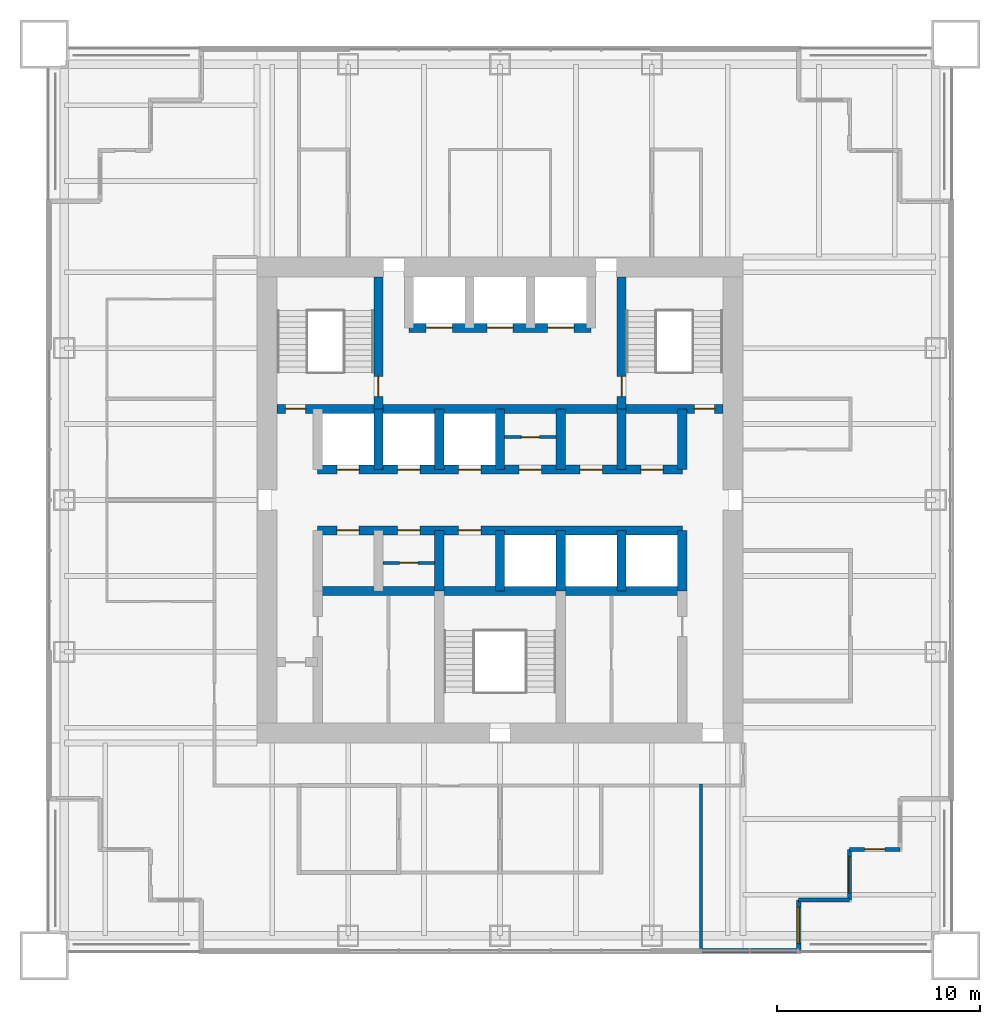
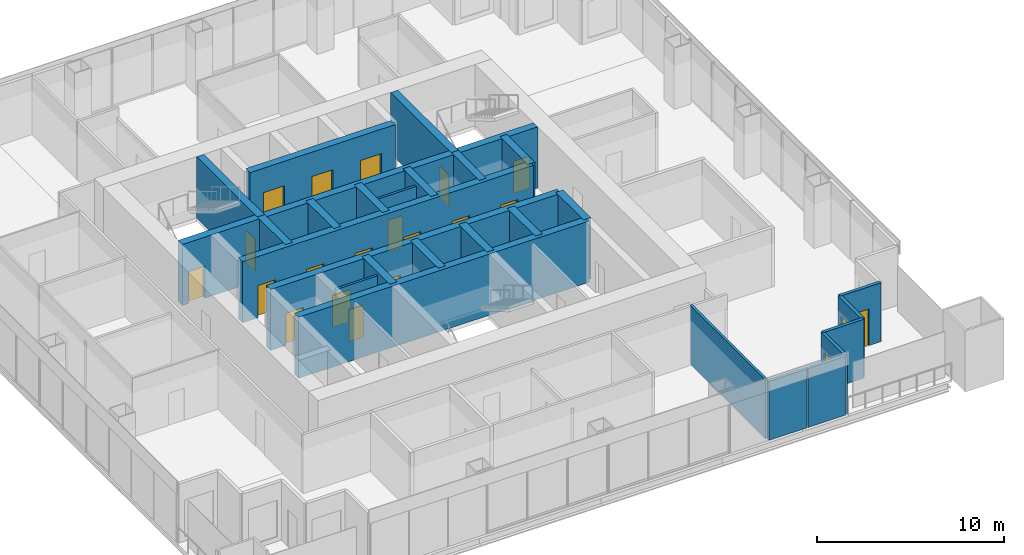
# One storey, part 9 of 13: 27 walls, 19 doors, 2 windows, 21 openings.
"""IFC4 building model written with IfcOpenShell, lengths in metres."""

from ifc_helpers import new_model, si_unit, direction, frame, frame_2d, origin, place, context, subcontext, project, spatial, rectangle, extrude, material, layer, layer_set, type_object, element, fill, save


model = new_model("IFC4")

# Units and contexts
model_context = context("Model", 3, precision=1e-05, world=origin(), true_north=direction((0.0, 1.0)))
body_context = subcontext(model_context, "Body", "Model", "MODEL_VIEW")
ifc_project = project(units=[si_unit("LENGTHUNIT", "METRE"), si_unit("AREAUNIT", "SQUARE_METRE"), si_unit("VOLUMEUNIT", "CUBIC_METRE"), si_unit("PLANEANGLEUNIT", "RADIAN"), si_unit("MASSUNIT", "GRAM", prefix="KILO")], contexts=[model_context])

# Site, building, storey
site_placement = place(None, origin())
site = spatial("IfcSite", under=ifc_project, at=site_placement, CompositionType="ELEMENT")
building_placement = place(site_placement, origin())
building = spatial("IfcBuilding", under=site, at=building_placement, Name="Tarangal Relay Tower", CompositionType="ELEMENT")
storey_placement = place(building_placement, frame((0.0, 0.0, 241.89990234375)))
storey = spatial("IfcBuildingStorey", under=building, at=storey_placement, Name="L52", CompositionType="ELEMENT", Elevation=241.89990234375)

# Wall, openings, doors
ifc_material_1 = material(Name="Concrete fc' 60 MPa", Category="concrete")
ifc_layer_1 = layer(ifc_material_1, 0.449951171875)
ifc_layer_set_1 = layer_set([ifc_layer_1], Name="Core inner wall 450")
wall_type_1 = type_object("IfcWallType", Name="Core inner wall 450", PredefinedType="SHEAR", material=ifc_layer_set_1)
wall_1_placement = place(storey_placement, frame((-11.0, 4.5, 0.0), z_axis=(0.0, 0.0, 1.0), x_axis=(1.0, 0.0, 0.0)))
wall_1 = element("IfcWall", 1, at=wall_1_placement, inside=storey, type_object=wall_type_1, Name="Core wall Y45 L52", PredefinedType="SHEAR", context=body_context, shape_type="SweptSolid", body=[
    extrude(rectangle(XDim=22.0, YDim=0.449951171875, at=frame_2d((11.0, 0.0))), origin(), (0.0, 0.0, 1.0), 4.0),
])
opening_1_placement = place(wall_1_placement, frame((0.39990234375, 0.0, 0.0)))
opening_1 = element("IfcOpeningElement", 2, at=opening_1_placement, cuts=wall_1, Name="Opening FD1", PredefinedType="OPENING", context=body_context, shape_type="SweptSolid", body=[
    extrude(rectangle(XDim=1.0, YDim=2.10009765625, at=frame_2d((0.5, 1.050048828125))), frame((0.0, 0.23486328125, 0.0), z_axis=(0.0, -1.0, 0.0), x_axis=(1.0, 0.0, 0.0)), (0.0, 0.0, 1.0), 0.469970703125),
])
opening_2_placement = place(wall_1_placement, frame((20.60009765625, 0.0, 0.0)))
opening_2 = element("IfcOpeningElement", 3, at=opening_2_placement, cuts=wall_1, Name="Opening FD1", PredefinedType="OPENING", context=body_context, shape_type="SweptSolid", body=[
    extrude(rectangle(XDim=1.0, YDim=2.10009765625, at=frame_2d((0.5, 1.050048828125))), frame((0.0, 0.23486328125, 0.0), z_axis=(0.0, -1.0, 0.0), x_axis=(1.0, 0.0, 0.0)), (0.0, 0.0, 1.0), 0.469970703125),
])
ifc_material_2 = material(Name="Steel door with hardwood frame", Category="steel")
door_type_1 = type_object("IfcDoorType", Name="Fire door 1000 x 2100", OperationType="SINGLE_SWING_LEFT", PredefinedType="DOOR", material=ifc_material_2)
door_1_placement = place(opening_1_placement, origin())
door_1 = element("IfcDoor", 4, at=door_1_placement, inside=storey, type_object=door_type_1, Name="Stair ST-A door from corridor L52", OperationType="SINGLE_SWING_LEFT", OverallHeight=2.10009765625, OverallWidth=1.0, PredefinedType="DOOR", context=body_context, shape_type="SweptSolid", body=[
    extrude(rectangle(XDim=1.0, YDim=2.10009765625, at=frame_2d((0.5, 1.050048828125))), frame((0.0, 0.02490234375, 0.0), z_axis=(0.0, -1.0, 0.0), x_axis=(1.0, 0.0, 0.0)), (0.0, 0.0, 1.0), 0.050048828125),
])
fill(opening_1, door_1)
door_2_placement = place(opening_2_placement, origin())
door_2 = element("IfcDoor", 5, at=door_2_placement, inside=storey, type_object=door_type_1, Name="Stair ST-B door from corridor L52", OperationType="SINGLE_SWING_LEFT", OverallHeight=2.10009765625, OverallWidth=1.0, PredefinedType="DOOR", context=body_context, shape_type="SweptSolid", body=[
    extrude(rectangle(XDim=1.0, YDim=2.10009765625, at=frame_2d((0.5, 1.050048828125))), frame((0.0, 0.02490234375, 0.0), z_axis=(0.0, -1.0, 0.0), x_axis=(1.0, 0.0, 0.0)), (0.0, 0.0, 1.0), 0.050048828125),
])
fill(opening_2, door_2)

wall_2_placement = place(storey_placement, frame((-9.0, 1.5, 0.0), z_axis=(0.0, 0.0, 1.0), x_axis=(1.0, 0.0, 0.0)))
wall_2 = element("IfcWall", 6, at=wall_2_placement, inside=storey, type_object=wall_type_1, Name="Core wall Y15 L52", PredefinedType="SHEAR", context=body_context, shape_type="SweptSolid", body=[
    extrude(rectangle(XDim=18.0, YDim=0.449951171875, at=frame_2d((9.0, 0.0))), origin(), (0.0, 0.0, 1.0), 4.0),
])
opening_3_placement = place(wall_2_placement, frame((0.949951171875, 0.0, 0.0)))
opening_3 = element("IfcOpeningElement", 7, at=opening_3_placement, cuts=wall_2, Name="Opening LD1", PredefinedType="OPENING", context=body_context, shape_type="SweptSolid", body=[
    extrude(rectangle(XDim=1.10009765625, YDim=2.10009765625, at=frame_2d((0.550048828125, 1.050048828125))), frame((0.0, 0.23486328125, 0.0), z_axis=(0.0, -1.0, 0.0), x_axis=(1.0, 0.0, 0.0)), (0.0, 0.0, 1.0), 0.469970703125),
])
opening_4_placement = place(wall_2_placement, frame((3.949951171875, 0.0, 0.0)))
opening_4 = element("IfcOpeningElement", 8, at=opening_4_placement, cuts=wall_2, Name="Opening LD1", PredefinedType="OPENING", context=body_context, shape_type="SweptSolid", body=[
    extrude(rectangle(XDim=1.10009765625, YDim=2.10009765625, at=frame_2d((0.550048828125, 1.050048828125))), frame((0.0, 0.23486328125, 0.0), z_axis=(0.0, -1.0, 0.0), x_axis=(1.0, 0.0, 0.0)), (0.0, 0.0, 1.0), 0.469970703125),
])
opening_5_placement = place(wall_2_placement, frame((6.949951171875, 0.0, 0.0)))
opening_5 = element("IfcOpeningElement", 9, at=opening_5_placement, cuts=wall_2, Name="Opening LD1", PredefinedType="OPENING", context=body_context, shape_type="SweptSolid", body=[
    extrude(rectangle(XDim=1.10009765625, YDim=2.10009765625, at=frame_2d((0.550048828125, 1.050048828125))), frame((0.0, 0.23486328125, 0.0), z_axis=(0.0, -1.0, 0.0), x_axis=(1.0, 0.0, 0.0)), (0.0, 0.0, 1.0), 0.469970703125),
])
opening_6_placement = place(wall_2_placement, frame((9.949951171875, 0.0, 0.0)))
opening_6 = element("IfcOpeningElement", 10, at=opening_6_placement, cuts=wall_2, Name="Opening D4", PredefinedType="OPENING", context=body_context, shape_type="SweptSolid", body=[
    extrude(rectangle(XDim=1.10009765625, YDim=2.10009765625, at=frame_2d((0.550048828125, 1.050048828125))), frame((0.0, 0.23486328125, 0.0), z_axis=(0.0, -1.0, 0.0), x_axis=(1.0, 0.0, 0.0)), (0.0, 0.0, 1.0), 0.469970703125),
])
opening_7_placement = place(wall_2_placement, frame((12.949951171875, 0.0, 0.0)))
opening_7 = element("IfcOpeningElement", 11, at=opening_7_placement, cuts=wall_2, Name="Opening D4", PredefinedType="OPENING", context=body_context, shape_type="SweptSolid", body=[
    extrude(rectangle(XDim=1.10009765625, YDim=2.10009765625, at=frame_2d((0.550048828125, 1.050048828125))), frame((0.0, 0.23486328125, 0.0), z_axis=(0.0, -1.0, 0.0), x_axis=(1.0, 0.0, 0.0)), (0.0, 0.0, 1.0), 0.469970703125),
])
opening_8_placement = place(wall_2_placement, frame((15.949951171875, 0.0, 0.0)))
opening_8 = element("IfcOpeningElement", 12, at=opening_8_placement, cuts=wall_2, Name="Opening D4", PredefinedType="OPENING", context=body_context, shape_type="SweptSolid", body=[
    extrude(rectangle(XDim=1.10009765625, YDim=2.10009765625, at=frame_2d((0.550048828125, 1.050048828125))), frame((0.0, 0.23486328125, 0.0), z_axis=(0.0, -1.0, 0.0), x_axis=(1.0, 0.0, 0.0)), (0.0, 0.0, 1.0), 0.469970703125),
])
door_type_2 = type_object("IfcDoorType", Name="Core room door 1100 x 2100", OperationType="SINGLE_SWING_RIGHT", PredefinedType="DOOR", material=ifc_material_2)
door_3_placement = place(opening_6_placement, origin())
door_3 = element("IfcDoor", 13, at=door_3_placement, inside=storey, type_object=door_type_2, Name="Door D4 to it room L52-T1", OperationType="SINGLE_SWING_RIGHT", OverallHeight=2.10009765625, OverallWidth=1.10009765625, PredefinedType="DOOR", context=body_context, shape_type="SweptSolid", body=[
    extrude(rectangle(XDim=1.10009765625, YDim=2.10009765625, at=frame_2d((0.550048828125, 1.050048828125))), frame((0.0, 0.02490234375, 0.0), z_axis=(0.0, -1.0, 0.0), x_axis=(1.0, 0.0, 0.0)), (0.0, 0.0, 1.0), 0.050048828125),
])
fill(opening_6, door_3)
door_4_placement = place(opening_7_placement, origin())
door_4 = element("IfcDoor", 14, at=door_4_placement, inside=storey, type_object=door_type_2, Name="Door D4 to cleaner's store L52-T2", OperationType="SINGLE_SWING_RIGHT", OverallHeight=2.10009765625, OverallWidth=1.10009765625, PredefinedType="DOOR", context=body_context, shape_type="SweptSolid", body=[
    extrude(rectangle(XDim=1.10009765625, YDim=2.10009765625, at=frame_2d((0.550048828125, 1.050048828125))), frame((0.0, 0.02490234375, 0.0), z_axis=(0.0, -1.0, 0.0), x_axis=(1.0, 0.0, 0.0)), (0.0, 0.0, 1.0), 0.050048828125),
])
fill(opening_7, door_4)
door_5_placement = place(opening_8_placement, origin())
door_5 = element("IfcDoor", 15, at=door_5_placement, inside=storey, type_object=door_type_2, Name="Door D4 to staff wc L52-T3", OperationType="SINGLE_SWING_RIGHT", OverallHeight=2.10009765625, OverallWidth=1.10009765625, PredefinedType="DOOR", context=body_context, shape_type="SweptSolid", body=[
    extrude(rectangle(XDim=1.10009765625, YDim=2.10009765625, at=frame_2d((0.550048828125, 1.050048828125))), frame((0.0, 0.02490234375, 0.0), z_axis=(0.0, -1.0, 0.0), x_axis=(1.0, 0.0, 0.0)), (0.0, 0.0, 1.0), 0.050048828125),
])
fill(opening_8, door_5)
door_type_3 = type_object("IfcDoorType", Name="Lift landing door 1100 x 2100", OperationType="SLIDING_TO_LEFT", PredefinedType="DOOR", material=ifc_material_2)
door_6_placement = place(opening_3_placement, origin())
door_6 = element("IfcDoor", 16, at=door_6_placement, inside=storey, type_object=door_type_3, Name="Lift OL1 landing door L52", OperationType="SLIDING_TO_LEFT", OverallHeight=2.10009765625, OverallWidth=1.10009765625, PredefinedType="DOOR", context=body_context, shape_type="SweptSolid", body=[
    extrude(rectangle(XDim=1.10009765625, YDim=2.10009765625, at=frame_2d((0.550048828125, 1.050048828125))), frame((0.0, 0.02490234375, 0.0), z_axis=(0.0, -1.0, 0.0), x_axis=(1.0, 0.0, 0.0)), (0.0, 0.0, 1.0), 0.050048828125),
])
fill(opening_3, door_6)
door_7_placement = place(opening_4_placement, origin())
door_7 = element("IfcDoor", 17, at=door_7_placement, inside=storey, type_object=door_type_3, Name="Lift OL2 landing door L52", OperationType="SLIDING_TO_LEFT", OverallHeight=2.10009765625, OverallWidth=1.10009765625, PredefinedType="DOOR", context=body_context, shape_type="SweptSolid", body=[
    extrude(rectangle(XDim=1.10009765625, YDim=2.10009765625, at=frame_2d((0.550048828125, 1.050048828125))), frame((0.0, 0.02490234375, 0.0), z_axis=(0.0, -1.0, 0.0), x_axis=(1.0, 0.0, 0.0)), (0.0, 0.0, 1.0), 0.050048828125),
])
fill(opening_4, door_7)
door_8_placement = place(opening_5_placement, origin())
door_8 = element("IfcDoor", 18, at=door_8_placement, inside=storey, type_object=door_type_3, Name="Lift OL3 landing door L52", OperationType="SLIDING_TO_LEFT", OverallHeight=2.10009765625, OverallWidth=1.10009765625, PredefinedType="DOOR", context=body_context, shape_type="SweptSolid", body=[
    extrude(rectangle(XDim=1.10009765625, YDim=2.10009765625, at=frame_2d((0.550048828125, 1.050048828125))), frame((0.0, 0.02490234375, 0.0), z_axis=(0.0, -1.0, 0.0), x_axis=(1.0, 0.0, 0.0)), (0.0, 0.0, 1.0), 0.050048828125),
])
fill(opening_5, door_8)

wall_3_placement = place(storey_placement, frame((-9.0, -1.5, 0.0), z_axis=(0.0, 0.0, 1.0), x_axis=(1.0, 0.0, 0.0)))
wall_3 = element("IfcWall", 19, at=wall_3_placement, inside=storey, type_object=wall_type_1, Name="Core wall YM15 L52", PredefinedType="SHEAR", context=body_context, shape_type="SweptSolid", body=[
    extrude(rectangle(XDim=18.0, YDim=0.449951171875, at=frame_2d((9.0, 0.0))), origin(), (0.0, 0.0, 1.0), 4.0),
])
opening_9_placement = place(wall_3_placement, frame((0.949951171875, 0.0, 0.0)))
opening_9 = element("IfcOpeningElement", 20, at=opening_9_placement, cuts=wall_3, Name="Opening D4", PredefinedType="OPENING", context=body_context, shape_type="SweptSolid", body=[
    extrude(rectangle(XDim=1.10009765625, YDim=2.10009765625, at=frame_2d((0.550048828125, 1.050048828125))), frame((0.0, 0.23486328125, 0.0), z_axis=(0.0, -1.0, 0.0), x_axis=(1.0, 0.0, 0.0)), (0.0, 0.0, 1.0), 0.469970703125),
])
opening_10_placement = place(wall_3_placement, frame((3.949951171875, 0.0, 0.0)))
opening_10 = element("IfcOpeningElement", 21, at=opening_10_placement, cuts=wall_3, Name="Opening D4", PredefinedType="OPENING", context=body_context, shape_type="SweptSolid", body=[
    extrude(rectangle(XDim=1.10009765625, YDim=2.10009765625, at=frame_2d((0.550048828125, 1.050048828125))), frame((0.0, 0.23486328125, 0.0), z_axis=(0.0, -1.0, 0.0), x_axis=(1.0, 0.0, 0.0)), (0.0, 0.0, 1.0), 0.469970703125),
])
opening_11_placement = place(wall_3_placement, frame((6.949951171875, 0.0, 0.0)))
opening_11 = element("IfcOpeningElement", 22, at=opening_11_placement, cuts=wall_3, Name="Opening D4", PredefinedType="OPENING", context=body_context, shape_type="SweptSolid", body=[
    extrude(rectangle(XDim=1.10009765625, YDim=2.10009765625, at=frame_2d((0.550048828125, 1.050048828125))), frame((0.0, 0.23486328125, 0.0), z_axis=(0.0, -1.0, 0.0), x_axis=(1.0, 0.0, 0.0)), (0.0, 0.0, 1.0), 0.469970703125),
])
door_9_placement = place(opening_9_placement, origin())
door_9 = element("IfcDoor", 23, at=door_9_placement, inside=storey, type_object=door_type_2, Name="Door D4 to staff pantry L52-S1", OperationType="SINGLE_SWING_RIGHT", OverallHeight=2.10009765625, OverallWidth=1.10009765625, PredefinedType="DOOR", context=body_context, shape_type="SweptSolid", body=[
    extrude(rectangle(XDim=1.10009765625, YDim=2.10009765625, at=frame_2d((0.550048828125, 1.050048828125))), frame((0.0, 0.02490234375, 0.0), z_axis=(0.0, -1.0, 0.0), x_axis=(1.0, 0.0, 0.0)), (0.0, 0.0, 1.0), 0.050048828125),
])
fill(opening_9, door_9)
door_10_placement = place(opening_10_placement, origin())
door_10 = element("IfcDoor", 24, at=door_10_placement, inside=storey, type_object=door_type_2, Name="Door D4 to it room L52-S2", OperationType="SINGLE_SWING_RIGHT", OverallHeight=2.10009765625, OverallWidth=1.10009765625, PredefinedType="DOOR", context=body_context, shape_type="SweptSolid", body=[
    extrude(rectangle(XDim=1.10009765625, YDim=2.10009765625, at=frame_2d((0.550048828125, 1.050048828125))), frame((0.0, 0.02490234375, 0.0), z_axis=(0.0, -1.0, 0.0), x_axis=(1.0, 0.0, 0.0)), (0.0, 0.0, 1.0), 0.050048828125),
])
fill(opening_10, door_10)
door_11_placement = place(opening_11_placement, origin())
door_11 = element("IfcDoor", 25, at=door_11_placement, inside=storey, type_object=door_type_2, Name="Door D4 to cleaner's store L52-S3", OperationType="SINGLE_SWING_RIGHT", OverallHeight=2.10009765625, OverallWidth=1.10009765625, PredefinedType="DOOR", context=body_context, shape_type="SweptSolid", body=[
    extrude(rectangle(XDim=1.10009765625, YDim=2.10009765625, at=frame_2d((0.550048828125, 1.050048828125))), frame((0.0, 0.02490234375, 0.0), z_axis=(0.0, -1.0, 0.0), x_axis=(1.0, 0.0, 0.0)), (0.0, 0.0, 1.0), 0.050048828125),
])
fill(opening_11, door_11)

# Wall
wall_4_placement = place(storey_placement, frame((-9.0, -4.5, 0.0), z_axis=(0.0, 0.0, 1.0), x_axis=(1.0, 0.0, 0.0)))
element("IfcWall", 26, at=wall_4_placement, inside=storey, type_object=wall_type_1, Name="Core wall YM45 L52", PredefinedType="SHEAR", context=body_context, shape_type="SweptSolid", body=[
    extrude(rectangle(XDim=18.0, YDim=0.449951171875, at=frame_2d((9.0, 0.0))), origin(), (0.0, 0.0, 1.0), 4.0),
])

# Wall, openings, doors
wall_5_placement = place(storey_placement, frame((-4.5, 8.5, 0.0), z_axis=(0.0, 0.0, 1.0), x_axis=(1.0, 0.0, 0.0)))
wall_5 = element("IfcWall", 27, at=wall_5_placement, inside=storey, type_object=wall_type_1, Name="Core wall Y85 L52", PredefinedType="SHEAR", context=body_context, shape_type="SweptSolid", body=[
    extrude(rectangle(XDim=9.0, YDim=0.449951171875, at=frame_2d((4.5, 0.0))), origin(), (0.0, 0.0, 1.0), 4.0),
])
opening_12_placement = place(wall_5_placement, frame((0.85009765625, 0.0, 0.0)))
opening_12 = element("IfcOpeningElement", 28, at=opening_12_placement, cuts=wall_5, Name="Opening LD2", PredefinedType="OPENING", context=body_context, shape_type="SweptSolid", body=[
    extrude(rectangle(XDim=1.300048828125, YDim=2.39990234375, at=frame_2d((0.64990234375, 1.199951171875))), frame((0.0, 0.23486328125, 0.0), z_axis=(0.0, -1.0, 0.0), x_axis=(1.0, 0.0, 0.0)), (0.0, 0.0, 1.0), 0.469970703125),
])
opening_13_placement = place(wall_5_placement, frame((6.85009765625, 0.0, 0.0)))
opening_13 = element("IfcOpeningElement", 29, at=opening_13_placement, cuts=wall_5, Name="Opening LD2", PredefinedType="OPENING", context=body_context, shape_type="SweptSolid", body=[
    extrude(rectangle(XDim=1.300048828125, YDim=2.39990234375, at=frame_2d((0.64990234375, 1.199951171875))), frame((0.0, 0.23486328125, 0.0), z_axis=(0.0, -1.0, 0.0), x_axis=(1.0, 0.0, 0.0)), (0.0, 0.0, 1.0), 0.469970703125),
])
opening_14_placement = place(wall_5_placement, frame((3.85009765625, 0.0, 0.0)))
opening_14 = element("IfcOpeningElement", 30, at=opening_14_placement, cuts=wall_5, Name="Opening LD2", PredefinedType="OPENING", context=body_context, shape_type="SweptSolid", body=[
    extrude(rectangle(XDim=1.300048828125, YDim=2.39990234375, at=frame_2d((0.64990234375, 1.199951171875))), frame((0.0, 0.23486328125, 0.0), z_axis=(0.0, -1.0, 0.0), x_axis=(1.0, 0.0, 0.0)), (0.0, 0.0, 1.0), 0.469970703125),
])
door_type_4 = type_object("IfcDoorType", Name="Lift landing door 1300 x 2400", OperationType="SLIDING_TO_LEFT", PredefinedType="DOOR", material=ifc_material_2)
door_12_placement = place(opening_12_placement, origin())
door_12 = element("IfcDoor", 31, at=door_12_placement, inside=storey, type_object=door_type_4, Name="Lift FF1 landing door L52", OperationType="SLIDING_TO_LEFT", OverallHeight=2.39990234375, OverallWidth=1.300048828125, PredefinedType="DOOR", context=body_context, shape_type="SweptSolid", body=[
    extrude(rectangle(XDim=1.300048828125, YDim=2.39990234375, at=frame_2d((0.64990234375, 1.199951171875))), frame((0.0, 0.02490234375, 0.0), z_axis=(0.0, -1.0, 0.0), x_axis=(1.0, 0.0, 0.0)), (0.0, 0.0, 1.0), 0.050048828125),
])
fill(opening_12, door_12)
door_13_placement = place(opening_13_placement, origin())
door_13 = element("IfcDoor", 32, at=door_13_placement, inside=storey, type_object=door_type_4, Name="Lift FF2 landing door L52", OperationType="SLIDING_TO_LEFT", OverallHeight=2.39990234375, OverallWidth=1.300048828125, PredefinedType="DOOR", context=body_context, shape_type="SweptSolid", body=[
    extrude(rectangle(XDim=1.300048828125, YDim=2.39990234375, at=frame_2d((0.64990234375, 1.199951171875))), frame((0.0, 0.02490234375, 0.0), z_axis=(0.0, -1.0, 0.0), x_axis=(1.0, 0.0, 0.0)), (0.0, 0.0, 1.0), 0.050048828125),
])
fill(opening_13, door_13)
door_14_placement = place(opening_14_placement, origin())
door_14 = element("IfcDoor", 33, at=door_14_placement, inside=storey, type_object=door_type_4, Name="Lift SV1 landing door L52", OperationType="SLIDING_TO_LEFT", OverallHeight=2.39990234375, OverallWidth=1.300048828125, PredefinedType="DOOR", context=body_context, shape_type="SweptSolid", body=[
    extrude(rectangle(XDim=1.300048828125, YDim=2.39990234375, at=frame_2d((0.64990234375, 1.199951171875))), frame((0.0, 0.02490234375, 0.0), z_axis=(0.0, -1.0, 0.0), x_axis=(1.0, 0.0, 0.0)), (0.0, 0.0, 1.0), 0.050048828125),
])
fill(opening_14, door_14)

# Walls
for number, where, z_axis, x_axis, name in (
    (34, (9.0, 1.5, 0.0), (0.0, 0.0, 1.0), (0.0, 1.0, 0.0), "Core wall X9N L52"),
    (35, (9.0, -4.5, 0.0), (0.0, 0.0, 1.0), (0.0, 1.0, 0.0), "Core wall X9S L52"),
    (36, (-6.0, 1.5, 0.0), (0.0, 0.0, 1.0), (0.0, 1.0, 0.0), "Core wall XM6N L52"),
    (37, (-3.0, 1.5, 0.0), (0.0, 0.0, 1.0), (0.0, 1.0, 0.0), "Core wall XM3N L52"),
    (38, (0.0, 1.5, 0.0), (0.0, 0.0, 1.0), (0.0, 1.0, 0.0), "Core wall X0N L52"),
    (39, (3.0, 1.5, 0.0), (0.0, 0.0, 1.0), (0.0, 1.0, 0.0), "Core wall X3N L52"),
    (40, (6.0, 1.5, 0.0), (0.0, 0.0, 1.0), (0.0, 1.0, 0.0), "Core wall X6N L52"),
    (41, (-3.0, -4.5, 0.0), (0.0, 0.0, 1.0), (0.0, 1.0, 0.0), "Core wall XM3S L52"),
    (42, (0.0, -4.5, 0.0), (0.0, 0.0, 1.0), (0.0, 1.0, 0.0), "Core wall X0S L52"),
    (43, (3.0, -4.5, 0.0), (0.0, 0.0, 1.0), (0.0, 1.0, 0.0), "Core wall X3S L52"),
    (44, (6.0, -4.5, 0.0), (0.0, 0.0, 1.0), (0.0, 1.0, 0.0), "Core wall X6S L52"),
):
    element("IfcWall", number, at=place(storey_placement, frame(where, z_axis=z_axis, x_axis=x_axis)), inside=storey, type_object=wall_type_1, Name=name, PredefinedType="SHEAR", context=body_context, shape_type="SweptSolid", body=[
        extrude(rectangle(XDim=3.0, YDim=0.449951171875, at=frame_2d((1.5, 0.0))), origin(), (0.0, 0.0, 1.0), 4.0),
    ])

# Wall, opening, door
wall_6_placement = place(storey_placement, frame((-6.0, 4.5, 0.0), z_axis=(0.0, 0.0, 1.0), x_axis=(0.0, 1.0, 0.0)))
wall_6 = element("IfcWall", 45, at=wall_6_placement, inside=storey, type_object=wall_type_1, Name="Core wall XM6 L52", PredefinedType="SHEAR", context=body_context, shape_type="SweptSolid", body=[
    extrude(rectangle(XDim=6.5, YDim=0.449951171875, at=frame_2d((3.25, 0.0))), origin(), (0.0, 0.0, 1.0), 4.0),
])
opening_15_placement = place(wall_6_placement, frame((0.60009765625, 0.0, 0.0)))
opening_15 = element("IfcOpeningElement", 46, at=opening_15_placement, cuts=wall_6, Name="Opening FD1", PredefinedType="OPENING", context=body_context, shape_type="SweptSolid", body=[
    extrude(rectangle(XDim=1.0, YDim=2.10009765625, at=frame_2d((0.5, 1.050048828125))), frame((0.0, 0.23486328125, 0.0), z_axis=(0.0, -1.0, 0.0), x_axis=(1.0, 0.0, 0.0)), (0.0, 0.0, 1.0), 0.469970703125),
])
door_15_placement = place(opening_15_placement, origin())
door_15 = element("IfcDoor", 47, at=door_15_placement, inside=storey, type_object=door_type_1, Name="Stair ST-A door from fire-fighting lobby L52", OperationType="SINGLE_SWING_LEFT", OverallHeight=2.10009765625, OverallWidth=1.0, PredefinedType="DOOR", context=body_context, shape_type="SweptSolid", body=[
    extrude(rectangle(XDim=1.0, YDim=2.10009765625, at=frame_2d((0.5, 1.050048828125))), frame((0.0, 0.02490234375, 0.0), z_axis=(0.0, -1.0, 0.0), x_axis=(1.0, 0.0, 0.0)), (0.0, 0.0, 1.0), 0.050048828125),
])
fill(opening_15, door_15)

wall_7_placement = place(storey_placement, frame((6.0, 4.5, 0.0), z_axis=(0.0, 0.0, 1.0), x_axis=(0.0, 1.0, 0.0)))
wall_7 = element("IfcWall", 48, at=wall_7_placement, inside=storey, type_object=wall_type_1, Name="Core wall X6 L52", PredefinedType="SHEAR", context=body_context, shape_type="SweptSolid", body=[
    extrude(rectangle(XDim=6.5, YDim=0.449951171875, at=frame_2d((3.25, 0.0))), origin(), (0.0, 0.0, 1.0), 4.0),
])
opening_16_placement = place(wall_7_placement, frame((0.60009765625, 0.0, 0.0)))
opening_16 = element("IfcOpeningElement", 49, at=opening_16_placement, cuts=wall_7, Name="Opening FD1", PredefinedType="OPENING", context=body_context, shape_type="SweptSolid", body=[
    extrude(rectangle(XDim=1.0, YDim=2.10009765625, at=frame_2d((0.5, 1.050048828125))), frame((0.0, 0.23486328125, 0.0), z_axis=(0.0, -1.0, 0.0), x_axis=(1.0, 0.0, 0.0)), (0.0, 0.0, 1.0), 0.469970703125),
])
door_16_placement = place(opening_16_placement, origin())
door_16 = element("IfcDoor", 50, at=door_16_placement, inside=storey, type_object=door_type_1, Name="Stair ST-B door from fire-fighting lobby L52", OperationType="SINGLE_SWING_LEFT", OverallHeight=2.10009765625, OverallWidth=1.0, PredefinedType="DOOR", context=body_context, shape_type="SweptSolid", body=[
    extrude(rectangle(XDim=1.0, YDim=2.10009765625, at=frame_2d((0.5, 1.050048828125))), frame((0.0, 0.02490234375, 0.0), z_axis=(0.0, -1.0, 0.0), x_axis=(1.0, 0.0, 0.0)), (0.0, 0.0, 1.0), 0.050048828125),
])
fill(opening_16, door_16)

ifc_material_3 = material(Name="Black metal clad insulated wall", Category="steel")
ifc_layer_2 = layer(ifc_material_3, 0.199951171875)
ifc_layer_set_2 = layer_set([ifc_layer_2], Name="Corner wall metal clad 200")
wall_type_2 = type_object("IfcWallType", Name="Corner wall metal clad 200", PredefinedType="SOLIDWALL", material=ifc_layer_set_2)
wall_8_placement = place(storey_placement, frame((19.75, -17.25, 0.0), z_axis=(0.0, 0.0, 1.0), x_axis=(-1.0, 0.0, 0.0)))
wall_8 = element("IfcWall", 51, at=wall_8_placement, inside=storey, type_object=wall_type_2, Name="Facade wall E facade L52", PredefinedType="SOLIDWALL", context=body_context, shape_type="SweptSolid", body=[
    extrude(rectangle(XDim=2.5, YDim=0.199951171875, at=frame_2d((1.25, 0.0))), origin(), (0.0, 0.0, 1.0), 3.85009765625),
])
opening_17_placement = place(wall_8_placement, frame((0.75, 0.0, 0.0)))
opening_17 = element("IfcOpeningElement", 52, at=opening_17_placement, cuts=wall_8, Name="Opening TD1", PredefinedType="OPENING", context=body_context, shape_type="SweptSolid", body=[
    extrude(rectangle(XDim=1.0, YDim=2.39990234375, at=frame_2d((0.5, 1.199951171875))), frame((0.0, 0.10986328125, 0.0), z_axis=(0.0, -1.0, 0.0), x_axis=(1.0, 0.0, 0.0)), (0.0, 0.0, 1.0), 0.219970703125),
])
ifc_material_4 = material(Name="Aluminium glazed door", Category="aluminium")
door_type_5 = type_object("IfcDoorType", Name="Terrace door 1000 x 2400", OperationType="SINGLE_SWING_RIGHT", PredefinedType="DOOR", material=ifc_material_4)
door_17_placement = place(opening_17_placement, origin())
door_17 = element("IfcDoor", 53, at=door_17_placement, inside=storey, type_object=door_type_5, Name="Terrace door TD1 SE L52", OperationType="SINGLE_SWING_RIGHT", OverallHeight=2.39990234375, OverallWidth=1.0, PredefinedType="DOOR", context=body_context, shape_type="SweptSolid", body=[
    extrude(rectangle(XDim=1.0, YDim=2.39990234375, at=frame_2d((0.5, 1.199951171875))), frame((0.0, 0.02490234375, 0.0), z_axis=(0.0, -1.0, 0.0), x_axis=(1.0, 0.0, 0.0)), (0.0, 0.0, 1.0), 0.050048828125),
])
fill(opening_17, door_17)

# Wall, opening, window
wall_9_placement = place(storey_placement, frame((17.25, -17.25, 0.0), z_axis=(0.0, 0.0, 1.0), x_axis=(0.0, -1.0, 0.0)))
wall_9 = element("IfcWall", 54, at=wall_9_placement, inside=storey, type_object=wall_type_2, Name="Facade wall E facade L52", PredefinedType="SOLIDWALL", context=body_context, shape_type="SweptSolid", body=[
    extrude(rectangle(XDim=2.5, YDim=0.199951171875, at=frame_2d((1.25, 0.0))), origin(), (0.0, 0.0, 1.0), 3.85009765625),
])
opening_18_placement = place(wall_9_placement, frame((0.35009765625, 0.0, 0.300048828125)))
opening_18 = element("IfcOpeningElement", 55, at=opening_18_placement, cuts=wall_9, Name="Opening WN2", PredefinedType="OPENING", context=body_context, shape_type="SweptSolid", body=[
    extrude(rectangle(XDim=1.800048828125, YDim=2.39990234375, at=frame_2d((0.89990234375, 1.199951171875))), frame((0.0, 0.10986328125, 0.0), z_axis=(0.0, -1.0, 0.0), x_axis=(1.0, 0.0, 0.0)), (0.0, 0.0, 1.0), 0.219970703125),
])
ifc_material_5 = material(Name="Dark tinted double glazing in black aluminium frame", Category="aluminium")
window_type = type_object("IfcWindowType", Name="Corner window 1800 x 2400", PartitioningType="SINGLE_PANEL", PredefinedType="WINDOW", material=ifc_material_5)
window_1_placement = place(opening_18_placement, origin())
window_1 = element("IfcWindow", 56, at=window_1_placement, inside=storey, type_object=window_type, Name="Corner window WN2 E facade L52", OverallHeight=2.39990234375, OverallWidth=1.800048828125, PartitioningType="SINGLE_PANEL", PredefinedType="WINDOW", context=body_context, shape_type="SweptSolid", body=[
    extrude(rectangle(XDim=1.800048828125, YDim=2.39990234375, at=frame_2d((0.89990234375, 1.199951171875))), frame((0.0, 0.030029296875, 0.0), z_axis=(0.0, -1.0, 0.0), x_axis=(1.0, 0.0, 0.0)), (0.0, 0.0, 1.0), 0.06005859375),
])
fill(opening_18, window_1)

# Wall
wall_10_placement = place(storey_placement, frame((17.25, -19.75, 0.0), z_axis=(0.0, 0.0, 1.0), x_axis=(-1.0, 0.0, 0.0)))
element("IfcWall", 57, at=wall_10_placement, inside=storey, type_object=wall_type_2, Name="Facade wall E facade L52", PredefinedType="SOLIDWALL", context=body_context, shape_type="SweptSolid", body=[
    extrude(rectangle(XDim=2.5, YDim=0.199951171875, at=frame_2d((1.25, 0.0))), origin(), (0.0, 0.0, 1.0), 3.85009765625),
])

# Wall, opening, window
wall_11_placement = place(storey_placement, frame((14.75, -19.75, 0.0), z_axis=(0.0, 0.0, 1.0), x_axis=(0.0, -1.0, 0.0)))
wall_11 = element("IfcWall", 58, at=wall_11_placement, inside=storey, type_object=wall_type_2, Name="Facade wall E facade L52", PredefinedType="SOLIDWALL", context=body_context, shape_type="SweptSolid", body=[
    extrude(rectangle(XDim=2.5, YDim=0.199951171875, at=frame_2d((1.25, 0.0))), origin(), (0.0, 0.0, 1.0), 3.85009765625),
])
opening_19_placement = place(wall_11_placement, frame((0.35009765625, 0.0, 0.300048828125)))
opening_19 = element("IfcOpeningElement", 59, at=opening_19_placement, cuts=wall_11, Name="Opening WN2", PredefinedType="OPENING", context=body_context, shape_type="SweptSolid", body=[
    extrude(rectangle(XDim=1.800048828125, YDim=2.39990234375, at=frame_2d((0.89990234375, 1.199951171875))), frame((0.0, 0.10986328125, 0.0), z_axis=(0.0, -1.0, 0.0), x_axis=(1.0, 0.0, 0.0)), (0.0, 0.0, 1.0), 0.219970703125),
])
window_2_placement = place(opening_19_placement, origin())
window_2 = element("IfcWindow", 60, at=window_2_placement, inside=storey, type_object=window_type, Name="Corner window WN2 E facade L52", OverallHeight=2.39990234375, OverallWidth=1.800048828125, PartitioningType="SINGLE_PANEL", PredefinedType="WINDOW", context=body_context, shape_type="SweptSolid", body=[
    extrude(rectangle(XDim=1.800048828125, YDim=2.39990234375, at=frame_2d((0.89990234375, 1.199951171875))), frame((0.0, 0.030029296875, 0.0), z_axis=(0.0, -1.0, 0.0), x_axis=(1.0, 0.0, 0.0)), (0.0, 0.0, 1.0), 0.06005859375),
])
fill(opening_19, window_2)

# Walls
ifc_layer_3 = layer(ifc_material_3, 0.199951171875)
ifc_layer_set_3 = layer_set([ifc_layer_3], Name="Facade infill wall metal clad 200")
wall_type_3 = type_object("IfcWallType", Name="Facade infill wall metal clad 200", PredefinedType="SOLIDWALL", material=ifc_layer_set_3)
wall_12_placement = place(storey_placement, frame((14.68505859375, -22.25, 0.0), z_axis=(0.0, 0.0, 1.0), x_axis=(-1.0, 0.0, 0.0)))
element("IfcWall", 61, at=wall_12_placement, inside=storey, type_object=wall_type_3, Name="Facade infill wall S facade L52 1.1", PredefinedType="SOLIDWALL", context=body_context, shape_type="SweptSolid", body=[
    extrude(rectangle(XDim=2.3193359375, YDim=0.199951171875, at=frame_2d((1.15966796875, 0.0))), origin(), (0.0, 0.0, 1.0), 3.85009765625),
])
wall_13_placement = place(storey_placement, frame((12.30078125, -22.25, 0.0), z_axis=(0.0, 0.0, 1.0), x_axis=(-1.0, 0.0, 0.0)))
element("IfcWall", 62, at=wall_13_placement, inside=storey, type_object=wall_type_3, Name="Facade infill wall S facade L52 2.1", PredefinedType="SOLIDWALL", context=body_context, shape_type="SweptSolid", body=[
    extrude(rectangle(XDim=2.3515625, YDim=0.199951171875, at=frame_2d((1.17578125, 0.0))), origin(), (0.0, 0.0, 1.0), 3.85009765625),
])
ifc_material_6 = material(Name="Gypsum board on steel studs", Category="steel")
ifc_layer_4 = layer(ifc_material_6, 0.14990234375)
ifc_layer_set_4 = layer_set([ifc_layer_4], Name="Partition 150")
wall_type_4 = type_object("IfcWallType", Name="Partition 150", PredefinedType="PARTITIONING", material=ifc_layer_set_4)
wall_14_placement = place(storey_placement, frame((9.9169921875, -22.14990234375, 0.0), z_axis=(0.0, 0.0, 1.0), x_axis=(0.0, 1.0, 0.0)))
element("IfcWall", 63, at=wall_14_placement, inside=storey, type_object=wall_type_4, Name="Partition PT1 L52", PredefinedType="PARTITIONING", context=body_context, shape_type="SweptSolid", body=[
    extrude(rectangle(XDim=8.125, YDim=0.14990234375, at=frame_2d((4.0625, 0.0))), origin(), (0.0, 0.0, 1.0), 3.85009765625),
])

# Wall, opening, door
wall_15_placement = place(storey_placement, frame((0.22509765625, 3.10009765625, 0.0), z_axis=(0.0, 0.0, 1.0), x_axis=(1.0, 0.0, 0.0)))
wall_15 = element("IfcWall", 64, at=wall_15_placement, inside=storey, type_object=wall_type_4, Name="Partition PT1 L52", PredefinedType="PARTITIONING", context=body_context, shape_type="SweptSolid", body=[
    extrude(rectangle(XDim=2.5498046875, YDim=0.14990234375, at=frame_2d((1.27490234375, 0.0))), origin(), (0.0, 0.0, 1.0), 3.75),
])
opening_20_placement = place(wall_15_placement, frame((0.824951171875, 0.0, 0.0)))
opening_20 = element("IfcOpeningElement", 65, at=opening_20_placement, cuts=wall_15, Name="Opening D5", PredefinedType="OPENING", context=body_context, shape_type="SweptSolid", body=[
    extrude(rectangle(XDim=0.89990234375, YDim=2.10009765625, at=frame_2d((0.449951171875, 1.050048828125))), frame((0.0, 0.0849609375, 0.0), z_axis=(0.0, -1.0, 0.0), x_axis=(1.0, 0.0, 0.0)), (0.0, 0.0, 1.0), 0.169921875),
])
ifc_material_7 = material(Name="Hardwood door", Category="wood")
door_type_6 = type_object("IfcDoorType", Name="Cupboard door 900 x 2100", OperationType="SINGLE_SWING_LEFT", PredefinedType="DOOR", material=ifc_material_7)
door_18_placement = place(opening_20_placement, origin())
door_18 = element("IfcDoor", 66, at=door_18_placement, inside=storey, type_object=door_type_6, Name="Door D5 to it patch cupboard L52-T1B", OperationType="SINGLE_SWING_LEFT", OverallHeight=2.10009765625, OverallWidth=0.89990234375, PredefinedType="DOOR", context=body_context, shape_type="SweptSolid", body=[
    extrude(rectangle(XDim=0.89990234375, YDim=2.10009765625, at=frame_2d((0.449951171875, 1.050048828125))), frame((0.0, 0.02490234375, 0.0), z_axis=(0.0, -1.0, 0.0), x_axis=(1.0, 0.0, 0.0)), (0.0, 0.0, 1.0), 0.050048828125),
])
fill(opening_20, door_18)

wall_16_placement = place(storey_placement, frame((-5.77490234375, -3.10009765625, 0.0), z_axis=(0.0, 0.0, 1.0), x_axis=(1.0, 0.0, 0.0)))
wall_16 = element("IfcWall", 67, at=wall_16_placement, inside=storey, type_object=wall_type_4, Name="Partition PT1 L52", PredefinedType="PARTITIONING", context=body_context, shape_type="SweptSolid", body=[
    extrude(rectangle(XDim=2.5498046875, YDim=0.14990234375, at=frame_2d((1.27490234375, 0.0))), origin(), (0.0, 0.0, 1.0), 3.75),
])
opening_21_placement = place(wall_16_placement, frame((0.824951171875, 0.0, 0.0)))
opening_21 = element("IfcOpeningElement", 68, at=opening_21_placement, cuts=wall_16, Name="Opening D5", PredefinedType="OPENING", context=body_context, shape_type="SweptSolid", body=[
    extrude(rectangle(XDim=0.89990234375, YDim=2.10009765625, at=frame_2d((0.449951171875, 1.050048828125))), frame((0.0, 0.0849609375, 0.0), z_axis=(0.0, -1.0, 0.0), x_axis=(1.0, 0.0, 0.0)), (0.0, 0.0, 1.0), 0.169921875),
])
door_19_placement = place(opening_21_placement, origin())
door_19 = element("IfcDoor", 69, at=door_19_placement, inside=storey, type_object=door_type_6, Name="Door D5 to it patch cupboard L52-S2B", OperationType="SINGLE_SWING_LEFT", OverallHeight=2.10009765625, OverallWidth=0.89990234375, PredefinedType="DOOR", context=body_context, shape_type="SweptSolid", body=[
    extrude(rectangle(XDim=0.89990234375, YDim=2.10009765625, at=frame_2d((0.449951171875, 1.050048828125))), frame((0.0, 0.02490234375, 0.0), z_axis=(0.0, -1.0, 0.0), x_axis=(1.0, 0.0, 0.0)), (0.0, 0.0, 1.0), 0.050048828125),
])
fill(opening_21, door_19)

save(model, "model.ifc")
